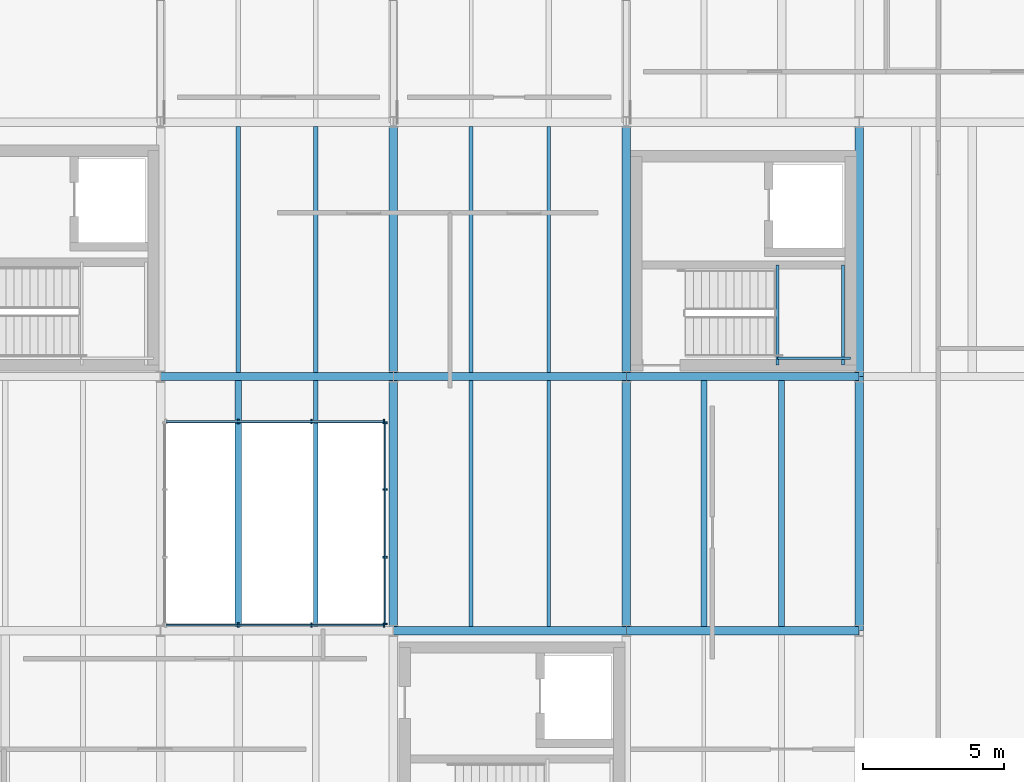
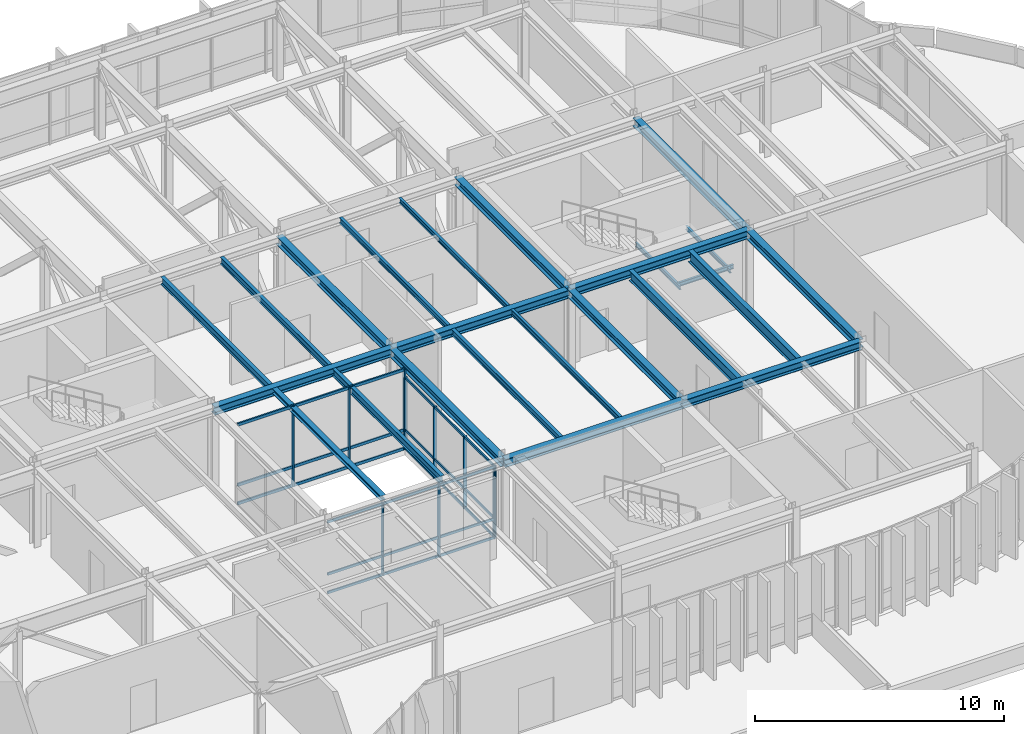
# One storey, part 9 of 29: 24 beams, 19 members, 3 elements without a shape of their own.
"""IFC4 building model written with IfcOpenShell, lengths in metres."""

import ifcopenshell
import ifcopenshell.guid

model = None  # the IFC model being written
_history = None  # IfcOwnerHistory: only IFC2X3 demands one
_inside = {}  # id of a spatial element -> (the spatial element, [elements in it])
_under = {}  # id of a project, library or spatial element -> (it, [spatial elements below it])
_declared = {}  # id of a project -> (the project, [libraries it declares])
_typed = {}  # id of a type object -> (the type object, [elements of that type])
_made_of = {}  # id of a material, layer set ... -> (it, [elements and type objects made of it])


def new_model(schema):
    """Start an empty IFC model of exactly this schema.

    Asked for "IFC4X3", IfcOpenShell would pick the latest addendum, in which some entities
    have other attributes; the version numbers below select the first issue.
    IFC2X3 requires an IfcOwnerHistory on every rooted entity: one is made here for all.
    """
    global model, _history
    if schema == "IFC4X3":
        model = ifcopenshell.file(schema_version=(4, 3, 0, 0))
    else:
        model = ifcopenshell.file(schema=schema)
    _inside.clear()
    _under.clear()
    _declared.clear()
    _typed.clear()
    _made_of.clear()
    _history = None
    if model.schema == "IFC2X3":
        org = make("IfcOrganization", Name="unknown")
        user = make(
            "IfcPersonAndOrganization",
            ThePerson=make("IfcPerson", FamilyName="unknown"),
            TheOrganization=org,
        )
        app = make(
            "IfcApplication",
            ApplicationDeveloper=org,
            Version="unknown",
            ApplicationFullName="unknown",
            ApplicationIdentifier="unknown",
        )
        _history = make(
            "IfcOwnerHistory",
            OwningUser=user,
            OwningApplication=app,
            ChangeAction="ADDED",
            CreationDate=0,
        )
    return model


def make(cls, **values):
    """One entity of the class cls with the attributes given. An attribute that is None is left unset."""
    return model.create_entity(
        cls, **{name: value for name, value in values.items() if value is not None}
    )


def rooted(cls, **values):
    """An entity with a GlobalId (a new one), such as an element, a storey or a relation."""
    return make(cls, GlobalId=ifcopenshell.guid.new(), OwnerHistory=_history, **values)


def si_unit(unit_type, name, prefix=None):
    """IfcSIUnit, for example si_unit("LENGTHUNIT", "METRE", prefix="MILLI")."""
    return make("IfcSIUnit", UnitType=unit_type, Prefix=prefix, Name=name)


def assignment(units):
    """IfcUnitAssignment: the units of a project."""
    return None if units is None else make("IfcUnitAssignment", Units=units)


def point(xyz):
    """IfcCartesianPoint."""
    return None if xyz is None else make("IfcCartesianPoint", Coordinates=xyz)


def direction(xyz):
    """IfcDirection."""
    return None if xyz is None else make("IfcDirection", DirectionRatios=xyz)


def frame(location, z_axis=None, x_axis=None):
    """IfcAxis2Placement3D, a coordinate frame: its origin and axes. An axis left out is left unset."""
    return make(
        "IfcAxis2Placement3D",
        Location=point(location),
        Axis=direction(z_axis),
        RefDirection=direction(x_axis),
    )


def frame_2d(location, x_axis=None):
    """IfcAxis2Placement2D, a coordinate frame in the plane: its origin and x axis."""
    return make(
        "IfcAxis2Placement2D", Location=point(location), RefDirection=direction(x_axis)
    )


def origin():
    """The frame at (0, 0, 0) with its axes left unset."""
    return frame((0.0, 0.0, 0.0))


def origin_2d():
    """The frame at (0, 0) in the plane with its x axis left unset."""
    return frame_2d((0.0, 0.0))


def place(relative_to, where):
    """IfcLocalPlacement: puts the frame where relative to a parent placement (None: the world)."""
    return make(
        "IfcLocalPlacement", PlacementRelTo=relative_to, RelativePlacement=where
    )


def context(
    kind, dimensions, precision=None, world=None, true_north=None, identifier=None
):
    """IfcGeometricRepresentationContext, for example the 3D "Model" context."""
    return make(
        "IfcGeometricRepresentationContext",
        ContextIdentifier=identifier,
        ContextType=kind,
        CoordinateSpaceDimension=dimensions,
        Precision=precision,
        WorldCoordinateSystem=world,
        TrueNorth=true_north,
    )


def subcontext(parent, identifier, kind, view, scale=None):
    """IfcGeometricRepresentationSubContext, for example "Body" below "Model"."""
    return make(
        "IfcGeometricRepresentationSubContext",
        ContextIdentifier=identifier,
        ContextType=kind,
        ParentContext=parent,
        TargetScale=scale,
        TargetView=view,
    )


def project(units=None, contexts=None):
    """IfcProject with its units and contexts."""
    return rooted(
        "IfcProject",
        Name="project",
        RepresentationContexts=contexts,
        UnitsInContext=assignment(units),
    )


def spatial(cls, under=None, at=None, **own):
    """A site, building, storey or space (cls), placed at a placement, below another one or the project."""
    s = rooted(cls, ObjectPlacement=at, **own)
    if under is not None:
        _under.setdefault(under.id(), (under, []))[1].append(s)
    return s


def profile(cls, at=None, kind="AREA", **sizes):
    """A parametric profile (cls). Its sizes go by their IFC names, for example OverallWidth=200.0."""
    return make(cls, ProfileType=kind, Position=at, **sizes)


def rectangle(**sizes):
    """IfcRectangleProfileDef."""
    return profile("IfcRectangleProfileDef", **sizes)


def i_section(**sizes):
    """IfcIShapeProfileDef."""
    return profile("IfcIShapeProfileDef", **sizes)


def extrude(swept, where, along, depth):
    """IfcExtrudedAreaSolid: the profile swept, set in the frame where, extruded along a direction by depth."""
    return make(
        "IfcExtrudedAreaSolid",
        SweptArea=swept,
        Position=where,
        ExtrudedDirection=direction(along),
        Depth=depth,
    )


def shape(context_of_items, identifier, shape_type, items):
    """IfcShapeRepresentation: the items that make up one representation, for example the "Body"."""
    return make(
        "IfcShapeRepresentation",
        ContextOfItems=context_of_items,
        RepresentationIdentifier=identifier,
        RepresentationType=shape_type,
        Items=items,
    )


def material(Name=None, Category=None):
    """IfcMaterial."""
    return make("IfcMaterial", Name=Name, Category=Category)


def layer(
    of_material, thickness, ventilated=None, Name=None, Category=None, Priority=None
):
    """IfcMaterialLayer: one layer of a wall or slab, of a material (None: an air gap)."""
    return make(
        "IfcMaterialLayer",
        Material=of_material,
        LayerThickness=thickness,
        IsVentilated=ventilated,
        Name=Name,
        Category=Category,
        Priority=Priority,
    )


def layer_set(layers, Name=None):
    """IfcMaterialLayerSet."""
    return make("IfcMaterialLayerSet", MaterialLayers=layers, LayerSetName=Name)


def material_profile(
    of_material, cross_section, Name=None, Category=None, Priority=None
):
    """IfcMaterialProfile: a cross section and its material."""
    return make(
        "IfcMaterialProfile",
        Name=Name,
        Material=of_material,
        Profile=cross_section,
        Priority=Priority,
        Category=Category,
    )


def profile_set(profiles, Name=None, composite=None):
    """IfcMaterialProfileSet."""
    return make(
        "IfcMaterialProfileSet",
        Name=Name,
        MaterialProfiles=profiles,
        CompositeProfile=composite,
    )


def made_of(thing, what):
    """Note that an element or type object is made of a material, layer set ...; save() writes the relation."""
    if what is not None:
        _made_of.setdefault(what.id(), (what, []))[1].append(thing)
    return thing


def type_object(cls, material=None, **own):
    """A type object (cls), such as IfcWallType, which elements share."""
    return made_of(rooted(cls, **own), material)


def element(
    cls,
    number,
    at=None,
    inside=None,
    cuts=None,
    type_object=None,
    material=None,
    context=None,
    identifier="Body",
    shape_type=None,
    held_by="IfcProductDefinitionShape",
    body=None,
    shapes=None,
    **own,
):
    """One element of the class cls, such as IfcWall. Its Tag is "e" and its number.

    at: its placement. inside: the storey or other place that contains it. cuts: it is an
    opening in that element (IfcRelVoidsElement). A single representation is given by context,
    identifier, shape_type and body (its items); several are given by shapes. held_by: the class
    of the entity that holds the representations. save() writes the other relations.
    """
    e = rooted(cls, Tag="e%d" % number, ObjectPlacement=at, **own)
    if body is not None:
        shapes = [shape(context, identifier, shape_type, body)]
    if shapes is not None:
        e.Representation = make(held_by, Representations=shapes)
    if inside is not None:
        _inside.setdefault(inside.id(), (inside, []))[1].append(e)
    if cuts is not None:
        rooted(
            "IfcRelVoidsElement", RelatingBuildingElement=cuts, RelatedOpeningElement=e
        )
    if type_object is not None:
        _typed.setdefault(type_object.id(), (type_object, []))[1].append(e)
    return made_of(e, material)


def aggregate(whole, parts):
    """IfcRelAggregates: a whole, such as a stair, and the parts it consists of."""
    return rooted("IfcRelAggregates", RelatingObject=whole, RelatedObjects=parts)


def save(model, path):
    """Write the relations noted so far, then the file.

    IfcRelAggregates (storeys below a building ...), IfcRelContainedInSpatialStructure (elements
    in a storey), IfcRelDefinesByType, IfcRelAssociatesMaterial and IfcRelDeclares: one each for
    every whole, place, type object, material and project.
    """
    for whole, parts in _under.values():
        aggregate(whole, parts)
    for where, things in _inside.values():
        rooted(
            "IfcRelContainedInSpatialStructure",
            RelatedElements=things,
            RelatingStructure=where,
        )
    for kind, things in _typed.values():
        rooted("IfcRelDefinesByType", RelatedObjects=things, RelatingType=kind)
    for what, things in _made_of.values():
        rooted("IfcRelAssociatesMaterial", RelatedObjects=things, RelatingMaterial=what)
    for by, libraries in _declared.values():
        rooted("IfcRelDeclares", RelatingContext=by, RelatedDefinitions=libraries)
    model.write(path)


model = new_model("IFC4")

# Units and contexts
model_context = context("Model", 3, precision=1e-05, world=origin(), true_north=direction((0.0, 1.0)))
body_context = subcontext(model_context, "Body", "Model", "MODEL_VIEW")
ifc_project = project(units=[si_unit("LENGTHUNIT", "METRE"), si_unit("AREAUNIT", "SQUARE_METRE"), si_unit("VOLUMEUNIT", "CUBIC_METRE"), si_unit("PLANEANGLEUNIT", "RADIAN"), si_unit("MASSUNIT", "GRAM", prefix="KILO")], contexts=[model_context])

# Site, building, storey
site_placement = place(None, origin())
site = spatial("IfcSite", under=ifc_project, at=site_placement, CompositionType="ELEMENT")
building_placement = place(site_placement, origin())
building = spatial("IfcBuilding", under=site, at=building_placement, Name="Montealbar Specialist Clinic", CompositionType="ELEMENT")
storey_placement = place(building_placement, frame((0.0, 0.0, 22.199951171875)))
storey = spatial("IfcBuildingStorey", under=building, at=storey_placement, Name="L05", CompositionType="ELEMENT", Elevation=22.199951171875)

# Beams
ifc_material_1 = material(Name="Steel S355", Category="steel")
ifc_material_profile_1 = material_profile(ifc_material_1, i_section(OverallWidth=0.300048828125, OverallDepth=0.39990234375, WebThickness=0.013427734375, FlangeThickness=0.02392578125, FilletRadius=0.027099609375, at=origin_2d()), Name="HEB 400", Category="steel")
ifc_profile_set_1 = profile_set([ifc_material_profile_1], Name="Steel S355")
beam_type_1 = type_object("IfcBeamType", Name="BM-GIRD-HEB400", PredefinedType="BEAM", material=ifc_profile_set_1)
for number, where, z_axis, x_axis, name in (
    (1, (82.5, 18.0, 3.739990234375), (1.0, 0.0, 0.0), (0.0, 1.0, 0.0), "Beam GX-L05-825-908-180"),
    (2, (90.75, 18.0, 3.739990234375), (1.0, 0.0, 0.0), (0.0, 1.0, 0.0), "Beam GX-L05-908-990-180"),
    (3, (82.5, 27.0, 3.72998046875), (1.0, 0.0, 0.0), (0.0, 1.0, 0.0), "Beam GX-L05-825-908-270"),
    (4, (90.75, 27.0, 3.739990234375), (1.0, 0.0, 0.0), (0.0, 1.0, 0.0), "Beam GX-L05-908-990-270"),
):
    element("IfcBeam", number, at=place(storey_placement, frame(where, z_axis=z_axis, x_axis=x_axis)), inside=storey, type_object=beam_type_1, Name=name, PredefinedType="BEAM", context=body_context, shape_type="SweptSolid", body=[
        extrude(i_section(OverallWidth=0.300048828125, OverallDepth=0.39990234375, WebThickness=0.013427734375, FlangeThickness=0.02392578125, FilletRadius=0.027099609375, at=origin_2d()), origin(), (0.0, 0.0, 1.0), 8.25),
    ])
for number, where, z_axis, x_axis, name in (
    (5, (82.5, 18.0, 3.72998046875), (0.0, 1.0, 0.0), (-1.0, 0.0, 0.0), "Beam GY-L05-825-180-270"),
    (6, (90.75, 18.0, 3.739990234375), (0.0, 1.0, 0.0), (-1.0, 0.0, 0.0), "Beam GY-L05-908-180-270"),
    (7, (90.75, 27.0, 3.739990234375), (0.0, 1.0, 0.0), (-1.0, 0.0, 0.0), "Beam GY-L05-908-270-360"),
    (8, (99.0, 18.0, 3.739990234375), (0.0, 1.0, 0.0), (-1.0, 0.0, 0.0), "Beam GY-L05-990-180-270"),
    (9, (99.0, 27.0, 3.739990234375), (0.0, 1.0, 0.0), (-1.0, 0.0, 0.0), "Beam GY-L05-990-270-360"),
):
    element("IfcBeam", number, at=place(storey_placement, frame(where, z_axis=z_axis, x_axis=x_axis)), inside=storey, type_object=beam_type_1, Name=name, PredefinedType="BEAM", context=body_context, shape_type="SweptSolid", body=[
        extrude(i_section(OverallWidth=0.300048828125, OverallDepth=0.39990234375, WebThickness=0.013427734375, FlangeThickness=0.02392578125, FilletRadius=0.027099609375, at=origin_2d()), origin(), (0.0, 0.0, 1.0), 9.0),
    ])
ifc_material_profile_2 = material_profile(ifc_material_1, i_section(OverallWidth=0.300048828125, OverallDepth=0.39990234375, WebThickness=0.013427734375, FlangeThickness=0.02392578125, FilletRadius=0.027099609375, at=origin_2d()), Name="HEB 400", Category="steel")
ifc_profile_set_2 = profile_set([ifc_material_profile_2], Name="Steel S355")
beam_type_2 = type_object("IfcBeamType", Name="BM-GIRD-HEB400-EXT", PredefinedType="BEAM", material=ifc_profile_set_2)
beam_1_placement = place(storey_placement, frame((74.25, 27.0, 3.72998046875), z_axis=(1.0, 0.0, 0.0), x_axis=(0.0, 1.0, 0.0)))
element("IfcBeam", 10, at=beam_1_placement, inside=storey, type_object=beam_type_2, Name="Beam GX-L05-742-825-270", PredefinedType="BEAM", context=body_context, shape_type="SweptSolid", body=[
    extrude(i_section(OverallWidth=0.300048828125, OverallDepth=0.39990234375, WebThickness=0.013427734375, FlangeThickness=0.02392578125, FilletRadius=0.027099609375, at=origin_2d()), origin(), (0.0, 0.0, 1.0), 8.25),
])
beam_2_placement = place(storey_placement, frame((82.5, 27.0, 3.72998046875), z_axis=(0.0, 1.0, 0.0), x_axis=(-1.0, 0.0, 0.0)))
element("IfcBeam", 11, at=beam_2_placement, inside=storey, type_object=beam_type_2, Name="Beam GY-L05-825-270-360", PredefinedType="BEAM", context=body_context, shape_type="SweptSolid", body=[
    extrude(i_section(OverallWidth=0.300048828125, OverallDepth=0.39990234375, WebThickness=0.013427734375, FlangeThickness=0.02392578125, FilletRadius=0.027099609375, at=origin_2d()), origin(), (0.0, 0.0, 1.0), 9.0),
])
ifc_material_profile_3 = material_profile(ifc_material_1, i_section(OverallWidth=0.1201171875, OverallDepth=0.239990234375, WebThickness=0.006103515625, FlangeThickness=0.009765625, FilletRadius=0.014892578125, at=origin_2d()), Name="IPE 240", Category="steel")
ifc_profile_set_3 = profile_set([ifc_material_profile_3], Name="Steel S355")
beam_type_3 = type_object("IfcBeamType", Name="BM-JST-IPE240", PredefinedType="JOIST", material=ifc_profile_set_3)
beam_3_placement = place(storey_placement, frame((88.0, 27.14990234375, 3.820068359375), z_axis=(0.0, 1.0, 0.0), x_axis=(-1.0, 0.0, 0.0)))
element("IfcBeam", 12, at=beam_3_placement, inside=storey, type_object=beam_type_3, Name="Beam JST-L05-880-272-358", PredefinedType="JOIST", context=body_context, shape_type="SweptSolid", body=[
    extrude(i_section(OverallWidth=0.1201171875, OverallDepth=0.239990234375, WebThickness=0.006103515625, FlangeThickness=0.009765625, FilletRadius=0.014892578125, at=origin_2d()), origin(), (0.0, 0.0, 1.0), 8.7001953125),
])
ifc_material_profile_4 = material_profile(ifc_material_1, i_section(OverallWidth=0.135009765625, OverallDepth=0.27001953125, WebThickness=0.006591796875, FlangeThickness=0.01025390625, FilletRadius=0.014892578125, at=origin_2d()), Name="IPE 270", Category="steel")
ifc_profile_set_4 = profile_set([ifc_material_profile_4], Name="Steel S355")
beam_type_4 = type_object("IfcBeamType", Name="BM-JST-IPE270", PredefinedType="JOIST", material=ifc_profile_set_4)
for number, where, z_axis, x_axis, name in (
    (13, (88.0, 18.14990234375, 3.804931640625), (0.0, 1.0, 0.0), (-1.0, 0.0, 0.0), "Beam JST-L05-880-182-268"),
    (14, (85.25, 27.14990234375, 3.804931640625), (0.0, 1.0, 0.0), (-1.0, 0.0, 0.0), "Beam JST-L05-852-272-358"),
):
    element("IfcBeam", number, at=place(storey_placement, frame(where, z_axis=z_axis, x_axis=x_axis)), inside=storey, type_object=beam_type_4, Name=name, PredefinedType="JOIST", context=body_context, shape_type="SweptSolid", body=[
        extrude(i_section(OverallWidth=0.135009765625, OverallDepth=0.27001953125, WebThickness=0.006591796875, FlangeThickness=0.01025390625, FilletRadius=0.014892578125, at=origin_2d()), origin(), (0.0, 0.0, 1.0), 8.7001953125),
    ])
ifc_material_profile_5 = material_profile(ifc_material_1, i_section(OverallWidth=0.14990234375, OverallDepth=0.300048828125, WebThickness=0.007080078125, FlangeThickness=0.0107421875, FilletRadius=0.014892578125, at=origin_2d()), Name="IPE 300", Category="steel")
ifc_profile_set_5 = profile_set([ifc_material_profile_5], Name="Steel S355")
beam_type_5 = type_object("IfcBeamType", Name="BM-JST-IPE300", PredefinedType="JOIST", material=ifc_profile_set_5)
beam_4_placement = place(storey_placement, frame((85.25, 18.14990234375, 3.7900390625), z_axis=(0.0, 1.0, 0.0), x_axis=(-1.0, 0.0, 0.0)))
element("IfcBeam", 15, at=beam_4_placement, inside=storey, type_object=beam_type_5, Name="Beam JST-L05-852-182-268", PredefinedType="JOIST", context=body_context, shape_type="SweptSolid", body=[
    extrude(i_section(OverallWidth=0.14990234375, OverallDepth=0.300048828125, WebThickness=0.007080078125, FlangeThickness=0.0107421875, FilletRadius=0.014892578125, at=origin_2d()), origin(), (0.0, 0.0, 1.0), 8.7001953125),
])
ifc_material_profile_6 = material_profile(ifc_material_1, i_section(OverallWidth=0.159912109375, OverallDepth=0.330078125, WebThickness=0.007568359375, FlangeThickness=0.011474609375, FilletRadius=0.01806640625, at=origin_2d()), Name="IPE 330", Category="steel")
ifc_profile_set_6 = profile_set([ifc_material_profile_6], Name="Steel S355")
beam_type_6 = type_object("IfcBeamType", Name="BM-JST-IPE330", PredefinedType="JOIST", material=ifc_profile_set_6)
beam_5_placement = place(storey_placement, frame((79.75, 27.14990234375, 3.76513671875), z_axis=(0.0, 1.0, 0.0), x_axis=(-1.0, 0.0, 0.0)))
element("IfcBeam", 16, at=beam_5_placement, inside=storey, type_object=beam_type_6, Name="Beam JST-L05-798-272-358", PredefinedType="JOIST", context=body_context, shape_type="SweptSolid", body=[
    extrude(i_section(OverallWidth=0.159912109375, OverallDepth=0.330078125, WebThickness=0.007568359375, FlangeThickness=0.011474609375, FilletRadius=0.01806640625, at=origin_2d()), origin(), (0.0, 0.0, 1.0), 8.7001953125),
])
ifc_material_profile_7 = material_profile(ifc_material_1, i_section(OverallWidth=0.169921875, OverallDepth=0.360107421875, WebThickness=0.008056640625, FlangeThickness=0.0126953125, FilletRadius=0.01806640625, at=origin_2d()), Name="IPE 360", Category="steel")
ifc_profile_set_7 = profile_set([ifc_material_profile_7], Name="Steel S355")
beam_type_7 = type_object("IfcBeamType", Name="BM-JST-IPE360", PredefinedType="JOIST", material=ifc_profile_set_7)
for number, where, z_axis, x_axis, name in (
    (17, (79.75, 18.14990234375, 3.75), (0.0, 1.0, 0.0), (-1.0, 0.0, 0.0), "Beam JST-L05-798-182-268"),
    (18, (77.0, 27.14990234375, 3.75), (0.0, 1.0, 0.0), (-1.0, 0.0, 0.0), "Beam JST-L05-770-272-358"),
):
    element("IfcBeam", number, at=place(storey_placement, frame(where, z_axis=z_axis, x_axis=x_axis)), inside=storey, type_object=beam_type_7, Name=name, PredefinedType="JOIST", context=body_context, shape_type="SweptSolid", body=[
        extrude(i_section(OverallWidth=0.169921875, OverallDepth=0.360107421875, WebThickness=0.008056640625, FlangeThickness=0.0126953125, FilletRadius=0.01806640625, at=origin_2d()), origin(), (0.0, 0.0, 1.0), 8.7001953125),
    ])
ifc_material_profile_8 = material_profile(ifc_material_1, i_section(OverallWidth=0.199951171875, OverallDepth=0.5, WebThickness=0.01025390625, FlangeThickness=0.01611328125, FilletRadius=0.02099609375, at=origin_2d()), Name="IPE 500", Category="steel")
ifc_profile_set_8 = profile_set([ifc_material_profile_8], Name="Steel S355")
beam_type_8 = type_object("IfcBeamType", Name="BM-JST-IPE500", PredefinedType="JOIST", material=ifc_profile_set_8)
beam_6_placement = place(storey_placement, frame((93.5, 18.14990234375, 3.68994140625), z_axis=(0.0, 1.0, 0.0), x_axis=(-1.0, 0.0, 0.0)))
element("IfcBeam", 19, at=beam_6_placement, inside=storey, type_object=beam_type_8, Name="Beam JST-L05-935-182-268", PredefinedType="JOIST", context=body_context, shape_type="SweptSolid", body=[
    extrude(i_section(OverallWidth=0.199951171875, OverallDepth=0.5, WebThickness=0.01025390625, FlangeThickness=0.01611328125, FilletRadius=0.02099609375, at=origin_2d()), origin(), (0.0, 0.0, 1.0), 8.7001953125),
])
ifc_material_profile_9 = material_profile(ifc_material_1, i_section(OverallWidth=0.2099609375, OverallDepth=0.550048828125, WebThickness=0.010986328125, FlangeThickness=0.01708984375, FilletRadius=0.02392578125, at=origin_2d()), Name="IPE 550", Category="steel")
ifc_profile_set_9 = profile_set([ifc_material_profile_9], Name="Steel S355")
beam_type_9 = type_object("IfcBeamType", Name="BM-JST-IPE550", PredefinedType="JOIST", material=ifc_profile_set_9)
beam_7_placement = place(storey_placement, frame((96.25, 18.14990234375, 3.6650390625), z_axis=(0.0, 1.0, 0.0), x_axis=(-1.0, 0.0, 0.0)))
element("IfcBeam", 20, at=beam_7_placement, inside=storey, type_object=beam_type_9, Name="Beam JST-L05-962-182-268", PredefinedType="JOIST", context=body_context, shape_type="SweptSolid", body=[
    extrude(i_section(OverallWidth=0.2099609375, OverallDepth=0.550048828125, WebThickness=0.010986328125, FlangeThickness=0.01708984375, FilletRadius=0.02392578125, at=origin_2d()), origin(), (0.0, 0.0, 1.0), 8.7001953125),
])
ifc_material_profile_10 = material_profile(ifc_material_1, i_section(OverallWidth=0.10009765625, OverallDepth=0.199951171875, WebThickness=0.005615234375, FlangeThickness=0.008544921875, FilletRadius=0.011962890625, at=origin_2d()), Name="IPE 200", Category="steel")
ifc_profile_set_10 = profile_set([ifc_material_profile_10], Name="Steel S355")
beam_type_10 = type_object("IfcBeamType", Name="BM-LINT-IPE200", PredefinedType="LINTEL", material=ifc_profile_set_10)
for number, where, z_axis, x_axis, name in (
    (21, (96.10498046875, 27.39990234375, 1.800048828125), (0.0, 1.0, 0.0), (-1.0, 0.0, 0.0), "Core C5 Stair Landing Beam L05 W"),
    (22, (98.429931640625, 27.39990234375, 1.800048828125), (0.0, 1.0, 0.0), (-1.0, 0.0, 0.0), "Core C5 Stair Landing Beam L05 E"),
):
    element("IfcBeam", number, at=place(storey_placement, frame(where, z_axis=z_axis, x_axis=x_axis)), inside=storey, type_object=beam_type_10, Name=name, PredefinedType="LINTEL", context=body_context, shape_type="SweptSolid", body=[
        extrude(i_section(OverallWidth=0.10009765625, OverallDepth=0.199951171875, WebThickness=0.005615234375, FlangeThickness=0.008544921875, FilletRadius=0.011962890625, at=origin_2d()), origin(), (0.0, 0.0, 1.0), 3.550048828125),
    ])
beam_8_placement = place(storey_placement, frame((96.10498046875, 27.64990234375, 1.800048828125), z_axis=(1.0, 0.0, 0.0), x_axis=(0.0, 1.0, 0.0)))
element("IfcBeam", 23, at=beam_8_placement, inside=storey, type_object=beam_type_10, Name="Core C5 Stair Landing Tie Beam L05", PredefinedType="LINTEL", context=body_context, shape_type="SweptSolid", body=[
    extrude(i_section(OverallWidth=0.10009765625, OverallDepth=0.199951171875, WebThickness=0.005615234375, FlangeThickness=0.008544921875, FilletRadius=0.011962890625, at=origin_2d()), origin(), (0.0, 0.0, 1.0), 2.594970703125),
])
ifc_material_profile_11 = material_profile(ifc_material_1, i_section(OverallWidth=0.239990234375, OverallDepth=0.22998046875, WebThickness=0.007568359375, FlangeThickness=0.011962890625, FilletRadius=0.02099609375, at=origin_2d()), Name="HEA 240", Category="steel")
ifc_profile_set_11 = profile_set([ifc_material_profile_11], Name="Steel S355")
beam_type_11 = type_object("IfcBeamType", Name="BM-SPAND-HEA240", PredefinedType="SPANDREL", material=ifc_profile_set_11)
beam_9_placement = place(storey_placement, frame((77.0, 18.14990234375, 3.81494140625), z_axis=(0.0, 1.0, 0.0), x_axis=(-1.0, 0.0, 0.0)))
element("IfcBeam", 24, at=beam_9_placement, inside=storey, type_object=beam_type_11, Name="Beam JST-L05-770-182-268", PredefinedType="SPANDREL", context=body_context, shape_type="SweptSolid", body=[
    extrude(i_section(OverallWidth=0.239990234375, OverallDepth=0.22998046875, WebThickness=0.007568359375, FlangeThickness=0.011962890625, FilletRadius=0.02099609375, at=origin_2d()), origin(), (0.0, 0.0, 1.0), 8.7001953125),
])

# Curtain wall, members
ifc_material_2 = material(Name="Low-E double glazing", Category="glass")
ifc_layer_1 = layer(ifc_material_2, 0.199951171875, Name="Low-E double glazing", Category="glass")
ifc_layer_set_1 = layer_set([ifc_layer_1], Name="Low-E double glazing")
curtain_wall_type_1 = type_object("IfcCurtainWallType", Name="CW-TYPE-26", PredefinedType="NOTDEFINED", material=ifc_layer_set_1)
curtain_wall_1_placement = place(storey_placement, origin())
curtain_wall_1 = element("IfcCurtainWall", 25, at=curtain_wall_1_placement, inside=storey, type_object=curtain_wall_type_1, Name="Unitised Curtain Wall CW-L05-744-182-822-182-222", PredefinedType="NOTDEFINED")
ifc_material_3 = material(Name="Anodised aluminium EN AW-6063", Category="aluminium")
ifc_material_profile_12 = material_profile(ifc_material_3, rectangle(XDim=0.06005859375, YDim=0.159912109375, at=origin_2d()), Name="ALU 60x160", Category="aluminium")
ifc_profile_set_12 = profile_set([ifc_material_profile_12], Name="Anodised aluminium EN AW-6063")
member_type_1 = type_object("IfcMemberType", Name="CW-MUL-160", PredefinedType="MULLION", material=ifc_profile_set_12)
member_1_placement = place(storey_placement, frame((77.0, 18.199951171875, 0.0), z_axis=(0.0, 0.0, 1.0), x_axis=(1.0, 0.0, 0.0)))
member_1 = element("IfcMember", 26, at=member_1_placement, type_object=member_type_1, Name="Curtain Wall Mullion CW-L05-744-182-822-182-222-01", PredefinedType="MULLION", context=body_context, shape_type="SweptSolid", body=[
    extrude(rectangle(XDim=0.06005859375, YDim=0.159912109375, at=origin_2d()), origin(), (0.0, 0.0, 1.0), 3.5400390625),
])
member_2_placement = place(storey_placement, frame((79.60009765625, 18.199951171875, 0.0), z_axis=(0.0, 0.0, 1.0), x_axis=(1.0, 0.0, 0.0)))
member_2 = element("IfcMember", 27, at=member_2_placement, type_object=member_type_1, Name="Curtain Wall Mullion CW-L05-744-182-822-182-222-02", PredefinedType="MULLION", context=body_context, shape_type="SweptSolid", body=[
    extrude(rectangle(XDim=0.06005859375, YDim=0.159912109375, at=origin_2d()), origin(), (0.0, 0.0, 1.0), 3.5400390625),
])
member_3_placement = place(storey_placement, frame((82.1650390625, 18.199951171875, 0.0), z_axis=(0.0, 0.0, 1.0), x_axis=(1.0, 0.0, 0.0)))
member_3 = element("IfcMember", 28, at=member_3_placement, type_object=member_type_1, Name="Curtain Wall Mullion CW-L05-744-182-822-182-222-03", PredefinedType="MULLION", context=body_context, shape_type="SweptSolid", body=[
    extrude(rectangle(XDim=0.06005859375, YDim=0.159912109375, at=origin_2d()), origin(), (0.0, 0.0, 1.0), 3.5400390625),
])

ifc_layer_2 = layer(ifc_material_2, 0.199951171875, Name="Low-E double glazing", Category="glass")
ifc_layer_set_2 = layer_set([ifc_layer_2], Name="Low-E double glazing")
curtain_wall_type_2 = type_object("IfcCurtainWallType", Name="CW-TYPE-41", PredefinedType="NOTDEFINED", material=ifc_layer_set_2)
curtain_wall_2_placement = place(storey_placement, origin())
curtain_wall_2 = element("IfcCurtainWall", 29, at=curtain_wall_2_placement, inside=storey, type_object=curtain_wall_type_2, Name="Unitised Curtain Wall CW-L05-822-182-822-254-222", PredefinedType="NOTDEFINED")
member_4_placement = place(storey_placement, frame((82.199951171875, 18.235107421875, 0.0), z_axis=(0.0, 0.0, 1.0), x_axis=(0.0, 1.0, 0.0)))
member_4 = element("IfcMember", 30, at=member_4_placement, type_object=member_type_1, Name="Curtain Wall Mullion CW-L05-822-182-822-254-222-00", PredefinedType="MULLION", context=body_context, shape_type="SweptSolid", body=[
    extrude(rectangle(XDim=0.06005859375, YDim=0.159912109375, at=origin_2d()), origin(), (0.0, 0.0, 1.0), 3.530029296875),
])
member_5_placement = place(storey_placement, frame((82.199951171875, 20.60009765625, 0.0), z_axis=(0.0, 0.0, 1.0), x_axis=(0.0, 1.0, 0.0)))
member_5 = element("IfcMember", 31, at=member_5_placement, type_object=member_type_1, Name="Curtain Wall Mullion CW-L05-822-182-822-254-222-01", PredefinedType="MULLION", context=body_context, shape_type="SweptSolid", body=[
    extrude(rectangle(XDim=0.06005859375, YDim=0.159912109375, at=origin_2d()), origin(), (0.0, 0.0, 1.0), 3.530029296875),
])
member_6_placement = place(storey_placement, frame((82.199951171875, 23.0, 0.0), z_axis=(0.0, 0.0, 1.0), x_axis=(0.0, 1.0, 0.0)))
member_6 = element("IfcMember", 32, at=member_6_placement, type_object=member_type_1, Name="Curtain Wall Mullion CW-L05-822-182-822-254-222-02", PredefinedType="MULLION", context=body_context, shape_type="SweptSolid", body=[
    extrude(rectangle(XDim=0.06005859375, YDim=0.159912109375, at=origin_2d()), origin(), (0.0, 0.0, 1.0), 3.530029296875),
])
member_7_placement = place(storey_placement, frame((82.199951171875, 25.364990234375, 0.0), z_axis=(0.0, 0.0, 1.0), x_axis=(0.0, 1.0, 0.0)))
member_7 = element("IfcMember", 33, at=member_7_placement, type_object=member_type_1, Name="Curtain Wall Mullion CW-L05-822-182-822-254-222-03", PredefinedType="MULLION", context=body_context, shape_type="SweptSolid", body=[
    extrude(rectangle(XDim=0.06005859375, YDim=0.159912109375, at=origin_2d()), origin(), (0.0, 0.0, 1.0), 3.530029296875),
])

ifc_layer_3 = layer(ifc_material_2, 0.199951171875, Name="Low-E double glazing", Category="glass")
ifc_layer_set_3 = layer_set([ifc_layer_3], Name="Low-E double glazing")
curtain_wall_type_3 = type_object("IfcCurtainWallType", Name="CW-TYPE-25", PredefinedType="NOTDEFINED", material=ifc_layer_set_3)
curtain_wall_3_placement = place(storey_placement, origin())
curtain_wall_3 = element("IfcCurtainWall", 34, at=curtain_wall_3_placement, inside=storey, type_object=curtain_wall_type_3, Name="Unitised Curtain Wall CW-L05-822-254-744-254-222", PredefinedType="NOTDEFINED")
member_8_placement = place(storey_placement, frame((82.1650390625, 25.39990234375, 0.0), z_axis=(0.0, 0.0, 1.0), x_axis=(-1.0, 0.0, 0.0)))
member_8 = element("IfcMember", 35, at=member_8_placement, type_object=member_type_1, Name="Curtain Wall Mullion CW-L05-822-254-744-254-222-00", PredefinedType="MULLION", context=body_context, shape_type="SweptSolid", body=[
    extrude(rectangle(XDim=0.06005859375, YDim=0.159912109375, at=origin_2d()), origin(), (0.0, 0.0, 1.0), 3.93994140625),
])
member_9_placement = place(storey_placement, frame((79.60009765625, 25.39990234375, 0.0), z_axis=(0.0, 0.0, 1.0), x_axis=(-1.0, 0.0, 0.0)))
member_9 = element("IfcMember", 36, at=member_9_placement, type_object=member_type_1, Name="Curtain Wall Mullion CW-L05-822-254-744-254-222-01", PredefinedType="MULLION", context=body_context, shape_type="SweptSolid", body=[
    extrude(rectangle(XDim=0.06005859375, YDim=0.159912109375, at=origin_2d()), origin(), (0.0, 0.0, 1.0), 3.93994140625),
])
member_10_placement = place(storey_placement, frame((77.0, 25.39990234375, 0.0), z_axis=(0.0, 0.0, 1.0), x_axis=(-1.0, 0.0, 0.0)))
member_10 = element("IfcMember", 37, at=member_10_placement, type_object=member_type_1, Name="Curtain Wall Mullion CW-L05-822-254-744-254-222-02", PredefinedType="MULLION", context=body_context, shape_type="SweptSolid", body=[
    extrude(rectangle(XDim=0.06005859375, YDim=0.159912109375, at=origin_2d()), origin(), (0.0, 0.0, 1.0), 3.93994140625),
])

# Member
ifc_material_4 = material(Name="Powder-coated aluminium", Category="aluminium")
ifc_material_profile_13 = material_profile(ifc_material_4, rectangle(XDim=0.06005859375, YDim=0.1201171875, at=origin_2d()), Name="ALU 60x120", Category="aluminium")
ifc_profile_set_13 = profile_set([ifc_material_profile_13], Name="Powder-coated aluminium")
member_type_2 = type_object("IfcMemberType", Name="CW-TRN-120", PredefinedType="USERDEFINED", material=ifc_profile_set_13)
member_11_placement = place(storey_placement, frame((74.449951171875, 18.199951171875, 0.0400390625), z_axis=(1.0, 0.0, 0.0), x_axis=(0.0, 1.0, 0.0)))
member_11 = element("IfcMember", 38, at=member_11_placement, type_object=member_type_2, Name="Curtain Wall Transom CW-L05-744-182-822-182-222-00", ObjectType="TRANSOM", PredefinedType="USERDEFINED", context=body_context, shape_type="SweptSolid", body=[
    extrude(rectangle(XDim=0.06005859375, YDim=0.1201171875, at=origin_2d()), origin(), (0.0, 0.0, 1.0), 7.699951171875),
])

member_12_placement = place(storey_placement, frame((74.449951171875, 18.199951171875, 0.949951171875), z_axis=(1.0, 0.0, 0.0), x_axis=(0.0, 1.0, 0.0)))
member_12 = element("IfcMember", 39, at=member_12_placement, type_object=member_type_2, Name="Curtain Wall Transom CW-L05-744-182-822-182-222-01", ObjectType="TRANSOM", PredefinedType="USERDEFINED", context=body_context, shape_type="SweptSolid", body=[
    extrude(rectangle(XDim=0.06005859375, YDim=0.1201171875, at=origin_2d()), origin(), (0.0, 0.0, 1.0), 7.699951171875),
])

member_13_placement = place(storey_placement, frame((74.449951171875, 18.199951171875, 3.5), z_axis=(1.0, 0.0, 0.0), x_axis=(0.0, 1.0, 0.0)))
member_13 = element("IfcMember", 40, at=member_13_placement, type_object=member_type_2, Name="Curtain Wall Transom CW-L05-744-182-822-182-222-02", ObjectType="TRANSOM", PredefinedType="USERDEFINED", context=body_context, shape_type="SweptSolid", body=[
    extrude(rectangle(XDim=0.06005859375, YDim=0.1201171875, at=origin_2d()), origin(), (0.0, 0.0, 1.0), 7.699951171875),
])

aggregate(curtain_wall_1, [member_1, member_2, member_3, member_11, member_12, member_13])

member_14_placement = place(storey_placement, frame((82.199951171875, 18.25, 0.0400390625), z_axis=(0.0, 1.0, 0.0), x_axis=(-1.0, 0.0, 0.0)))
member_14 = element("IfcMember", 41, at=member_14_placement, type_object=member_type_2, Name="Curtain Wall Transom CW-L05-822-182-822-254-222-00", ObjectType="TRANSOM", PredefinedType="USERDEFINED", context=body_context, shape_type="SweptSolid", body=[
    extrude(rectangle(XDim=0.06005859375, YDim=0.1201171875, at=origin_2d()), origin(), (0.0, 0.0, 1.0), 7.10009765625),
])

member_15_placement = place(storey_placement, frame((82.199951171875, 18.25, 0.949951171875), z_axis=(0.0, 1.0, 0.0), x_axis=(-1.0, 0.0, 0.0)))
member_15 = element("IfcMember", 42, at=member_15_placement, type_object=member_type_2, Name="Curtain Wall Transom CW-L05-822-182-822-254-222-01", ObjectType="TRANSOM", PredefinedType="USERDEFINED", context=body_context, shape_type="SweptSolid", body=[
    extrude(rectangle(XDim=0.06005859375, YDim=0.1201171875, at=origin_2d()), origin(), (0.0, 0.0, 1.0), 7.10009765625),
])

member_16_placement = place(storey_placement, frame((82.199951171875, 18.25, 3.489990234375), z_axis=(0.0, 1.0, 0.0), x_axis=(-1.0, 0.0, 0.0)))
member_16 = element("IfcMember", 43, at=member_16_placement, type_object=member_type_2, Name="Curtain Wall Transom CW-L05-822-182-822-254-222-02", ObjectType="TRANSOM", PredefinedType="USERDEFINED", context=body_context, shape_type="SweptSolid", body=[
    extrude(rectangle(XDim=0.06005859375, YDim=0.1201171875, at=origin_2d()), origin(), (0.0, 0.0, 1.0), 7.10009765625),
])

aggregate(curtain_wall_2, [member_4, member_5, member_6, member_7, member_14, member_15, member_16])

ifc_material_profile_14 = material_profile(ifc_material_4, rectangle(XDim=0.070068359375, YDim=0.139892578125, at=origin_2d()), Name="ALU 70x140", Category="aluminium")
ifc_profile_set_14 = profile_set([ifc_material_profile_14], Name="Powder-coated aluminium")
member_type_3 = type_object("IfcMemberType", Name="CW-TRN-140", PredefinedType="USERDEFINED", material=ifc_profile_set_14)
member_17_placement = place(storey_placement, frame((82.14990234375, 25.39990234375, 0.0400390625), z_axis=(-1.0, 0.0, 0.0), x_axis=(0.0, -1.0, 0.0)))
member_17 = element("IfcMember", 44, at=member_17_placement, type_object=member_type_3, Name="Curtain Wall Transom CW-L05-822-254-744-254-222-00", ObjectType="TRANSOM", PredefinedType="USERDEFINED", context=body_context, shape_type="SweptSolid", body=[
    extrude(rectangle(XDim=0.070068359375, YDim=0.139892578125, at=origin_2d()), origin(), (0.0, 0.0, 1.0), 7.699951171875),
])

member_18_placement = place(storey_placement, frame((82.14990234375, 25.39990234375, 0.949951171875), z_axis=(-1.0, 0.0, 0.0), x_axis=(0.0, -1.0, 0.0)))
member_18 = element("IfcMember", 45, at=member_18_placement, type_object=member_type_3, Name="Curtain Wall Transom CW-L05-822-254-744-254-222-01", ObjectType="TRANSOM", PredefinedType="USERDEFINED", context=body_context, shape_type="SweptSolid", body=[
    extrude(rectangle(XDim=0.070068359375, YDim=0.139892578125, at=origin_2d()), origin(), (0.0, 0.0, 1.0), 7.699951171875),
])

member_19_placement = place(storey_placement, frame((82.14990234375, 25.39990234375, 3.900146484375), z_axis=(-1.0, 0.0, 0.0), x_axis=(0.0, -1.0, 0.0)))
member_19 = element("IfcMember", 46, at=member_19_placement, type_object=member_type_3, Name="Curtain Wall Transom CW-L05-822-254-744-254-222-02", ObjectType="TRANSOM", PredefinedType="USERDEFINED", context=body_context, shape_type="SweptSolid", body=[
    extrude(rectangle(XDim=0.070068359375, YDim=0.139892578125, at=origin_2d()), origin(), (0.0, 0.0, 1.0), 7.699951171875),
])

aggregate(curtain_wall_3, [member_8, member_9, member_10, member_17, member_18, member_19])

save(model, "model.ifc")
